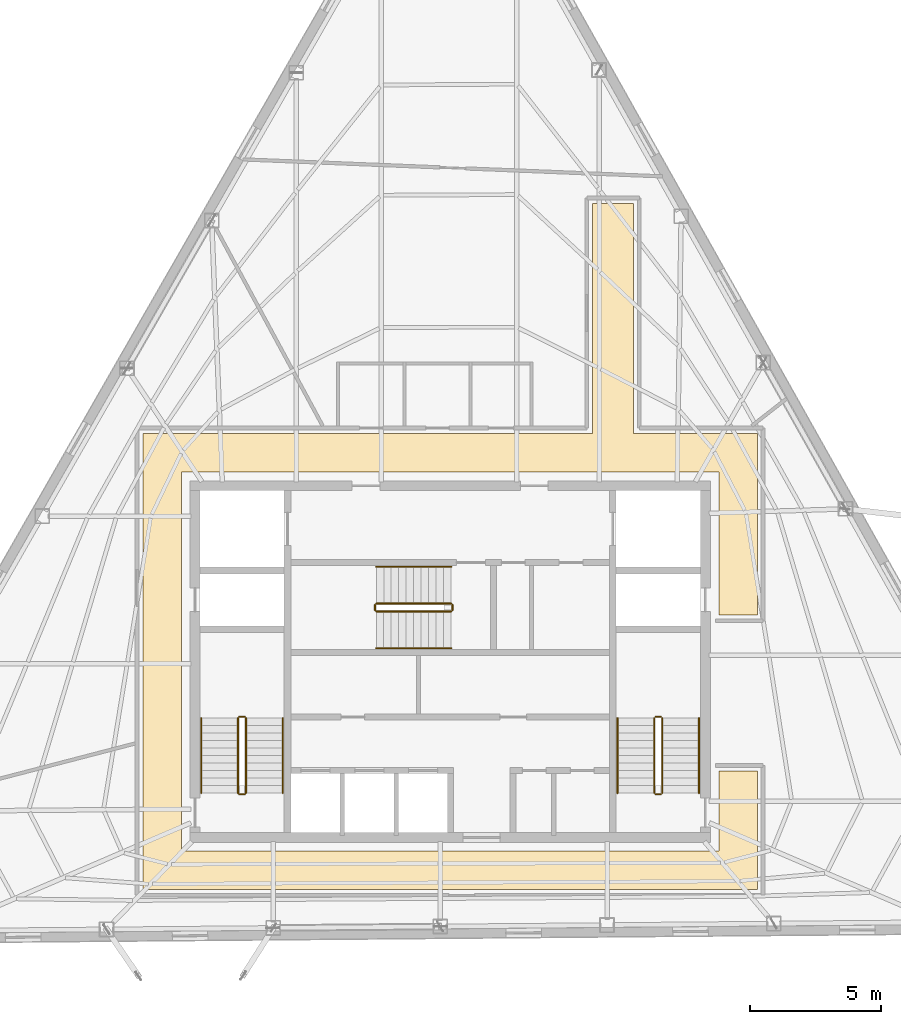
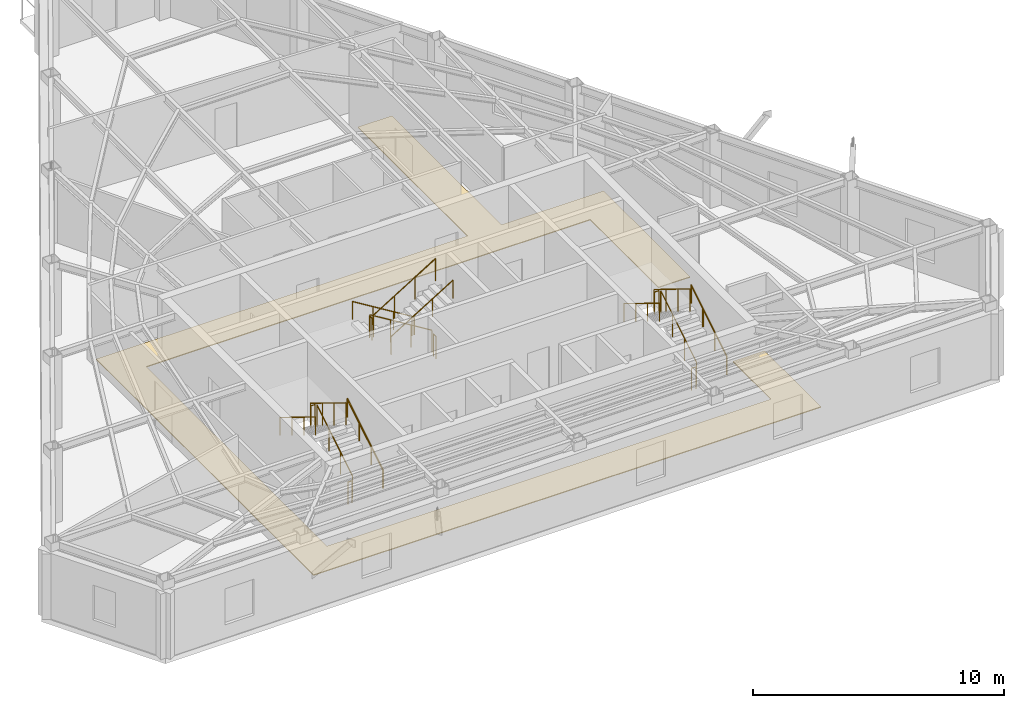
# One storey, part 10 of 11: 18 railings, 1 covering.
"""IFC4 building model written with IfcOpenShell, lengths in metres."""

from ifc_helpers import new_model, si_unit, direction, frame, origin, origin_2d, place, context, subcontext, project, spatial, polyline, circle, outline, extrude, material, layer, layer_set, type_object, element, save


model = new_model("IFC4")

# Units and contexts
model_context = context("Model", 3, precision=1e-05, world=origin(), true_north=direction((0.0, 1.0)))
body_context = subcontext(model_context, "Body", "Model", "MODEL_VIEW")
ifc_project = project(units=[si_unit("LENGTHUNIT", "METRE"), si_unit("AREAUNIT", "SQUARE_METRE"), si_unit("VOLUMEUNIT", "CUBIC_METRE"), si_unit("PLANEANGLEUNIT", "RADIAN"), si_unit("MASSUNIT", "GRAM", prefix="KILO")], contexts=[model_context])

# Site, building, storey
site_placement = place(None, origin())
site = spatial("IfcSite", under=ifc_project, at=site_placement, CompositionType="ELEMENT")
building_placement = place(site_placement, origin())
building = spatial("IfcBuilding", under=site, at=building_placement, Name="Kavelnor Concourse Tower", CompositionType="ELEMENT")
storey_placement = place(building_placement, frame((0.0, 0.0, 297.25)))
storey = spatial("IfcBuildingStorey", under=building, at=storey_placement, Name="L75", CompositionType="ELEMENT", Elevation=297.25)

# Covering
ifc_material_1 = material(Name="Honed bluestone and raised access floor finish", Category="masonry")
ifc_layer = layer(ifc_material_1, 0.0400390625, Name="Honed bluestone and raised access floor finish")
ifc_layer_set = layer_set([ifc_layer], Name="Honed bluestone and raised access floor finish")
covering_type = type_object("IfcCoveringType", Name="COV-FLOOR-STONE", PredefinedType="FLOORING", material=ifc_layer_set)
covering_placement = place(storey_placement, frame((0.0, 0.0, 0.001953125)))
element("IfcCovering", 1, at=covering_placement, inside=storey, type_object=covering_type, Name="L75 Honed Bluestone Floor Finish", PredefinedType="FLOORING", context=body_context, shape_type="SweptSolid", body=[
    extrude(outline(polyline([(44.97998046875, 24.77001953125), (49.68994140625, 24.77001953125), (49.68994140625, 17.8701171875), (48.22998046875, 17.8701171875), (48.22998046875, 23.31005859375), (27.77001953125, 23.31005859375), (27.77001953125, 8.889892578125), (48.22998046875, 8.889892578125), (48.22998046875, 11.929931640625), (49.68994140625, 11.929931640625), (49.68994140625, 7.429931640625), (26.31005859375, 7.429931640625), (26.31005859375, 24.77001953125), (43.419921875, 24.77001953125), (43.419921875, 33.52197265625), (44.97998046875, 33.52197265625), (44.97998046875, 24.77001953125)])), origin(), (0.0, 0.0, 1.0), 0.0400390625),
])

# Railings
ifc_material_2 = material(Name="Steel Grade 350", Category="steel")
railing_type_1 = type_object("IfcRailingType", Name="RLG-GUARD-1100", PredefinedType="GUARDRAIL", material=ifc_material_2)
railing_1_placement = place(storey_placement, frame((30.22998046875, 11.10009765625, 0.175048828125)))
element("IfcRailing", 2, at=railing_1_placement, inside=storey, type_object=railing_type_1, Name="L75 ST1 stair guard 1", PredefinedType="GUARDRAIL", context=body_context, shape_type="SweptSolid", body=[
    extrude(circle(Radius=0.02392578125, at=origin_2d()), frame((0.0, 0.0, 1.076171875), z_axis=(0.0, 0.852159232446, 0.523282564737), x_axis=(-1.0, 0.0, 0.0)), (0.0, 0.0, 1.0), 3.34423828125),
    extrude(circle(Radius=0.02099609375, at=origin_2d()), origin(), (0.0, 0.0, 1.0), 1.052001953125),
    extrude(circle(Radius=0.02099609375, at=origin_2d()), frame((0.0, 0.949951171875, 0.583251953125)), (0.0, 0.0, 1.0), 1.052001953125),
    extrude(circle(Radius=0.02099609375, at=origin_2d()), frame((0.0, 1.89990234375, 1.166748046875)), (0.0, 0.0, 1.0), 1.052001953125),
    extrude(circle(Radius=0.02099609375, at=origin_2d()), frame((0.0, 2.849853515625, 1.75)), (0.0, 0.0, 1.0), 1.052001953125),
])
railing_2_placement = place(storey_placement, frame((30.179931640625, 14.0, 1.925048828125)))
element("IfcRailing", 3, at=railing_2_placement, inside=storey, type_object=railing_type_1, Name="L75 ST1 stair guard 2", PredefinedType="GUARDRAIL", context=body_context, shape_type="SweptSolid", body=[
    extrude(circle(Radius=0.02392578125, at=origin_2d()), frame((0.0, 0.0, 1.076171875), z_axis=(-1.0, 0.0, 0.0), x_axis=(0.0, -1.0, 0.0)), (0.0, 0.0, 1.0), 0.199951171875),
    extrude(circle(Radius=0.02099609375, at=origin_2d()), origin(), (0.0, 0.0, 1.0), 1.052001953125),
    extrude(circle(Radius=0.02099609375, at=origin_2d()), frame((-0.199951171875, 0.0, 0.0)), (0.0, 0.0, 1.0), 1.052001953125),
])
railing_3_placement = place(storey_placement, frame((29.929931640625, 13.949951171875, 2.10009765625)))
element("IfcRailing", 4, at=railing_3_placement, inside=storey, type_object=railing_type_1, Name="L75 ST1 stair guard 3", PredefinedType="GUARDRAIL", context=body_context, shape_type="SweptSolid", body=[
    extrude(circle(Radius=0.02392578125, at=origin_2d()), frame((0.0, 0.0, 1.076171875), z_axis=(0.0, -0.852159232446, 0.523282564737), x_axis=(1.0, 0.0, 0.0)), (0.0, 0.0, 1.0), 3.34423828125),
    extrude(circle(Radius=0.02099609375, at=origin_2d()), origin(), (0.0, 0.0, 1.0), 1.052001953125),
    extrude(circle(Radius=0.02099609375, at=origin_2d()), frame((0.0, -0.949951171875, 0.583251953125)), (0.0, 0.0, 1.0), 1.052001953125),
    extrude(circle(Radius=0.02099609375, at=origin_2d()), frame((0.0, -1.89990234375, 1.166748046875)), (0.0, 0.0, 1.0), 1.052001953125),
    extrude(circle(Radius=0.02099609375, at=origin_2d()), frame((0.0, -2.849853515625, 1.75)), (0.0, 0.0, 1.0), 1.052001953125),
])
railing_4_placement = place(storey_placement, frame((30.179931640625, 11.050048828125, 0.0)))
element("IfcRailing", 5, at=railing_4_placement, inside=storey, type_object=railing_type_1, Name="L75 ST1 stair guard 4", PredefinedType="GUARDRAIL", context=body_context, shape_type="SweptSolid", body=[
    extrude(circle(Radius=0.02392578125, at=origin_2d()), frame((0.0, 0.0, 1.076171875), z_axis=(-1.0, 0.0, 0.0), x_axis=(0.0, -1.0, 0.0)), (0.0, 0.0, 1.0), 0.199951171875),
    extrude(circle(Radius=0.02099609375, at=origin_2d()), origin(), (0.0, 0.0, 1.0), 1.052001953125),
    extrude(circle(Radius=0.02099609375, at=origin_2d()), frame((-0.199951171875, 0.0, 0.0)), (0.0, 0.0, 1.0), 1.052001953125),
])
railing_5_placement = place(storey_placement, frame((46.070068359375, 11.10009765625, 0.175048828125)))
element("IfcRailing", 6, at=railing_5_placement, inside=storey, type_object=railing_type_1, Name="L75 ST2 stair guard 1", PredefinedType="GUARDRAIL", context=body_context, shape_type="SweptSolid", body=[
    extrude(circle(Radius=0.02392578125, at=origin_2d()), frame((0.0, 0.0, 1.076171875), z_axis=(0.0, 0.852159232446, 0.523282564737), x_axis=(-1.0, 0.0, 0.0)), (0.0, 0.0, 1.0), 3.34423828125),
    extrude(circle(Radius=0.02099609375, at=origin_2d()), origin(), (0.0, 0.0, 1.0), 1.052001953125),
    extrude(circle(Radius=0.02099609375, at=origin_2d()), frame((0.0, 0.949951171875, 0.583251953125)), (0.0, 0.0, 1.0), 1.052001953125),
    extrude(circle(Radius=0.02099609375, at=origin_2d()), frame((0.0, 1.89990234375, 1.166748046875)), (0.0, 0.0, 1.0), 1.052001953125),
    extrude(circle(Radius=0.02099609375, at=origin_2d()), frame((0.0, 2.849853515625, 1.75)), (0.0, 0.0, 1.0), 1.052001953125),
])
railing_6_placement = place(storey_placement, frame((46.02001953125, 14.0, 1.925048828125)))
element("IfcRailing", 7, at=railing_6_placement, inside=storey, type_object=railing_type_1, Name="L75 ST2 stair guard 2", PredefinedType="GUARDRAIL", context=body_context, shape_type="SweptSolid", body=[
    extrude(circle(Radius=0.02392578125, at=origin_2d()), frame((0.0, 0.0, 1.076171875), z_axis=(-1.0, 0.0, 0.0), x_axis=(0.0, -1.0, 0.0)), (0.0, 0.0, 1.0), 0.199951171875),
    extrude(circle(Radius=0.02099609375, at=origin_2d()), origin(), (0.0, 0.0, 1.0), 1.052001953125),
    extrude(circle(Radius=0.02099609375, at=origin_2d()), frame((-0.199951171875, 0.0, 0.0)), (0.0, 0.0, 1.0), 1.052001953125),
])
railing_7_placement = place(storey_placement, frame((45.77001953125, 13.949951171875, 2.10009765625)))
element("IfcRailing", 8, at=railing_7_placement, inside=storey, type_object=railing_type_1, Name="L75 ST2 stair guard 3", PredefinedType="GUARDRAIL", context=body_context, shape_type="SweptSolid", body=[
    extrude(circle(Radius=0.02392578125, at=origin_2d()), frame((0.0, 0.0, 1.076171875), z_axis=(0.0, -0.852159232446, 0.523282564737), x_axis=(1.0, 0.0, 0.0)), (0.0, 0.0, 1.0), 3.34423828125),
    extrude(circle(Radius=0.02099609375, at=origin_2d()), origin(), (0.0, 0.0, 1.0), 1.052001953125),
    extrude(circle(Radius=0.02099609375, at=origin_2d()), frame((0.0, -0.949951171875, 0.583251953125)), (0.0, 0.0, 1.0), 1.052001953125),
    extrude(circle(Radius=0.02099609375, at=origin_2d()), frame((0.0, -1.89990234375, 1.166748046875)), (0.0, 0.0, 1.0), 1.052001953125),
    extrude(circle(Radius=0.02099609375, at=origin_2d()), frame((0.0, -2.849853515625, 1.75)), (0.0, 0.0, 1.0), 1.052001953125),
])
railing_8_placement = place(storey_placement, frame((46.02001953125, 11.050048828125, 0.0)))
element("IfcRailing", 9, at=railing_8_placement, inside=storey, type_object=railing_type_1, Name="L75 ST2 stair guard 4", PredefinedType="GUARDRAIL", context=body_context, shape_type="SweptSolid", body=[
    extrude(circle(Radius=0.02392578125, at=origin_2d()), frame((0.0, 0.0, 1.076171875), z_axis=(-1.0, 0.0, 0.0), x_axis=(0.0, -1.0, 0.0)), (0.0, 0.0, 1.0), 0.199951171875),
    extrude(circle(Radius=0.02099609375, at=origin_2d()), origin(), (0.0, 0.0, 1.0), 1.052001953125),
    extrude(circle(Radius=0.02099609375, at=origin_2d()), frame((-0.199951171875, 0.0, 0.0)), (0.0, 0.0, 1.0), 1.052001953125),
])
railing_9_placement = place(storey_placement, frame((38.0400390625, 18.31005859375, 0.175048828125)))
element("IfcRailing", 10, at=railing_9_placement, inside=storey, type_object=railing_type_1, Name="L75 ST3 stair guard 1", PredefinedType="GUARDRAIL", context=body_context, shape_type="SweptSolid", body=[
    extrude(circle(Radius=0.02392578125, at=origin_2d()), frame((0.0, 0.0, 1.076171875), z_axis=(-0.852179220489, 0.0, 0.52325001306), x_axis=(0.0, -1.0, 0.0)), (0.0, 0.0, 1.0), 3.344482421875),
    extrude(circle(Radius=0.02099609375, at=origin_2d()), origin(), (0.0, 0.0, 1.0), 1.052001953125),
    extrude(circle(Radius=0.02099609375, at=origin_2d()), frame((-0.949951171875, 0.0, 0.583251953125)), (0.0, 0.0, 1.0), 1.052001953125),
    extrude(circle(Radius=0.02099609375, at=origin_2d()), frame((-1.900146484375, 0.0, 1.166748046875)), (0.0, 0.0, 1.0), 1.052001953125),
    extrude(circle(Radius=0.02099609375, at=origin_2d()), frame((-2.85009765625, 0.0, 1.75)), (0.0, 0.0, 1.0), 1.052001953125),
])
railing_10_placement = place(storey_placement, frame((35.139892578125, 18.260009765625, 1.925048828125)))
element("IfcRailing", 11, at=railing_10_placement, inside=storey, type_object=railing_type_1, Name="L75 ST3 stair guard 2", PredefinedType="GUARDRAIL", context=body_context, shape_type="SweptSolid", body=[
    extrude(circle(Radius=0.02392578125, at=origin_2d()), frame((0.0, 0.0, 1.076171875), z_axis=(0.0, -1.0, 0.0), x_axis=(1.0, 0.0, 0.0)), (0.0, 0.0, 1.0), 0.199951171875),
    extrude(circle(Radius=0.02099609375, at=origin_2d()), origin(), (0.0, 0.0, 1.0), 1.052001953125),
    extrude(circle(Radius=0.02099609375, at=origin_2d()), frame((0.0, -0.199951171875, 0.0)), (0.0, 0.0, 1.0), 1.052001953125),
])
railing_11_placement = place(storey_placement, frame((35.18994140625, 18.010009765625, 2.10009765625)))
element("IfcRailing", 12, at=railing_11_placement, inside=storey, type_object=railing_type_1, Name="L75 ST3 stair guard 3", PredefinedType="GUARDRAIL", context=body_context, shape_type="SweptSolid", body=[
    extrude(circle(Radius=0.02392578125, at=origin_2d()), frame((0.0, 0.0, 1.076171875), z_axis=(0.852179220489, 0.0, 0.52325001306), x_axis=(0.0, 1.0, 0.0)), (0.0, 0.0, 1.0), 3.344482421875),
    extrude(circle(Radius=0.02099609375, at=origin_2d()), origin(), (0.0, 0.0, 1.0), 1.052001953125),
    extrude(circle(Radius=0.02099609375, at=origin_2d()), frame((0.949951171875, 0.0, 0.583251953125)), (0.0, 0.0, 1.0), 1.052001953125),
    extrude(circle(Radius=0.02099609375, at=origin_2d()), frame((1.900146484375, 0.0, 1.166748046875)), (0.0, 0.0, 1.0), 1.052001953125),
    extrude(circle(Radius=0.02099609375, at=origin_2d()), frame((2.85009765625, 0.0, 1.75)), (0.0, 0.0, 1.0), 1.052001953125),
])
railing_12_placement = place(storey_placement, frame((38.090087890625, 18.260009765625, 0.0)))
element("IfcRailing", 13, at=railing_12_placement, inside=storey, type_object=railing_type_1, Name="L75 ST3 stair guard 4", PredefinedType="GUARDRAIL", context=body_context, shape_type="SweptSolid", body=[
    extrude(circle(Radius=0.02392578125, at=origin_2d()), frame((0.0, 0.0, 1.076171875), z_axis=(0.0, -1.0, 0.0), x_axis=(1.0, 0.0, 0.0)), (0.0, 0.0, 1.0), 0.199951171875),
    extrude(circle(Radius=0.02099609375, at=origin_2d()), origin(), (0.0, 0.0, 1.0), 1.052001953125),
    extrude(circle(Radius=0.02099609375, at=origin_2d()), frame((0.0, -0.199951171875, 0.0)), (0.0, 0.0, 1.0), 1.052001953125),
])
railing_type_2 = type_object("IfcRailingType", Name="RLG-HANDRAIL-900", PredefinedType="HANDRAIL", material=ifc_material_2)
railing_13_placement = place(storey_placement, frame((31.6298828125, 11.10009765625, 0.175048828125)))
element("IfcRailing", 14, at=railing_13_placement, inside=storey, type_object=railing_type_2, Name="L75 ST1 stair handrail 1", PredefinedType="HANDRAIL", context=body_context, shape_type="SweptSolid", body=[
    extrude(circle(Radius=0.02392578125, at=origin_2d()), frame((0.0, 0.0, 0.8759765625), z_axis=(0.0, 0.852159232446, 0.523282564737), x_axis=(-1.0, 0.0, 0.0)), (0.0, 0.0, 1.0), 3.34423828125),
    extrude(circle(Radius=0.02099609375, at=origin_2d()), origin(), (0.0, 0.0, 1.0), 0.851806640625),
    extrude(circle(Radius=0.02099609375, at=origin_2d()), frame((0.0, 0.949951171875, 0.583251953125)), (0.0, 0.0, 1.0), 0.851806640625),
    extrude(circle(Radius=0.02099609375, at=origin_2d()), frame((0.0, 1.89990234375, 1.166748046875)), (0.0, 0.0, 1.0), 0.851806640625),
    extrude(circle(Radius=0.02099609375, at=origin_2d()), frame((0.0, 2.849853515625, 1.75)), (0.0, 0.0, 1.0), 0.851806640625),
])
railing_14_placement = place(storey_placement, frame((28.530029296875, 13.949951171875, 2.10009765625)))
element("IfcRailing", 15, at=railing_14_placement, inside=storey, type_object=railing_type_2, Name="L75 ST1 stair handrail 2", PredefinedType="HANDRAIL", context=body_context, shape_type="SweptSolid", body=[
    extrude(circle(Radius=0.02392578125, at=origin_2d()), frame((0.0, 0.0, 0.8759765625), z_axis=(0.0, -0.852159232446, 0.523282564737), x_axis=(1.0, 0.0, 0.0)), (0.0, 0.0, 1.0), 3.34423828125),
    extrude(circle(Radius=0.02099609375, at=origin_2d()), origin(), (0.0, 0.0, 1.0), 0.851806640625),
    extrude(circle(Radius=0.02099609375, at=origin_2d()), frame((0.0, -0.949951171875, 0.583251953125)), (0.0, 0.0, 1.0), 0.851806640625),
    extrude(circle(Radius=0.02099609375, at=origin_2d()), frame((0.0, -1.89990234375, 1.166748046875)), (0.0, 0.0, 1.0), 0.851806640625),
    extrude(circle(Radius=0.02099609375, at=origin_2d()), frame((0.0, -2.849853515625, 1.75)), (0.0, 0.0, 1.0), 0.851806640625),
])
railing_15_placement = place(storey_placement, frame((47.469970703125, 11.10009765625, 0.175048828125)))
element("IfcRailing", 16, at=railing_15_placement, inside=storey, type_object=railing_type_2, Name="L75 ST2 stair handrail 1", PredefinedType="HANDRAIL", context=body_context, shape_type="SweptSolid", body=[
    extrude(circle(Radius=0.02392578125, at=origin_2d()), frame((0.0, 0.0, 0.8759765625), z_axis=(0.0, 0.852159232446, 0.523282564737), x_axis=(-1.0, 0.0, 0.0)), (0.0, 0.0, 1.0), 3.34423828125),
    extrude(circle(Radius=0.02099609375, at=origin_2d()), origin(), (0.0, 0.0, 1.0), 0.851806640625),
    extrude(circle(Radius=0.02099609375, at=origin_2d()), frame((0.0, 0.949951171875, 0.583251953125)), (0.0, 0.0, 1.0), 0.851806640625),
    extrude(circle(Radius=0.02099609375, at=origin_2d()), frame((0.0, 1.89990234375, 1.166748046875)), (0.0, 0.0, 1.0), 0.851806640625),
    extrude(circle(Radius=0.02099609375, at=origin_2d()), frame((0.0, 2.849853515625, 1.75)), (0.0, 0.0, 1.0), 0.851806640625),
])
railing_16_placement = place(storey_placement, frame((44.3701171875, 13.949951171875, 2.10009765625)))
element("IfcRailing", 17, at=railing_16_placement, inside=storey, type_object=railing_type_2, Name="L75 ST2 stair handrail 2", PredefinedType="HANDRAIL", context=body_context, shape_type="SweptSolid", body=[
    extrude(circle(Radius=0.02392578125, at=origin_2d()), frame((0.0, 0.0, 0.8759765625), z_axis=(0.0, -0.852159232446, 0.523282564737), x_axis=(1.0, 0.0, 0.0)), (0.0, 0.0, 1.0), 3.34423828125),
    extrude(circle(Radius=0.02099609375, at=origin_2d()), origin(), (0.0, 0.0, 1.0), 0.851806640625),
    extrude(circle(Radius=0.02099609375, at=origin_2d()), frame((0.0, -0.949951171875, 0.583251953125)), (0.0, 0.0, 1.0), 0.851806640625),
    extrude(circle(Radius=0.02099609375, at=origin_2d()), frame((0.0, -1.89990234375, 1.166748046875)), (0.0, 0.0, 1.0), 0.851806640625),
    extrude(circle(Radius=0.02099609375, at=origin_2d()), frame((0.0, -2.849853515625, 1.75)), (0.0, 0.0, 1.0), 0.851806640625),
])
railing_17_placement = place(storey_placement, frame((38.0400390625, 19.7099609375, 0.175048828125)))
element("IfcRailing", 18, at=railing_17_placement, inside=storey, type_object=railing_type_2, Name="L75 ST3 stair handrail 1", PredefinedType="HANDRAIL", context=body_context, shape_type="SweptSolid", body=[
    extrude(circle(Radius=0.02392578125, at=origin_2d()), frame((0.0, 0.0, 0.8759765625), z_axis=(-0.852179220489, 0.0, 0.52325001306), x_axis=(0.0, -1.0, 0.0)), (0.0, 0.0, 1.0), 3.344482421875),
    extrude(circle(Radius=0.02099609375, at=origin_2d()), origin(), (0.0, 0.0, 1.0), 0.851806640625),
    extrude(circle(Radius=0.02099609375, at=origin_2d()), frame((-0.949951171875, 0.0, 0.583251953125)), (0.0, 0.0, 1.0), 0.851806640625),
    extrude(circle(Radius=0.02099609375, at=origin_2d()), frame((-1.900146484375, 0.0, 1.166748046875)), (0.0, 0.0, 1.0), 0.851806640625),
    extrude(circle(Radius=0.02099609375, at=origin_2d()), frame((-2.85009765625, 0.0, 1.75)), (0.0, 0.0, 1.0), 0.851806640625),
])
railing_18_placement = place(storey_placement, frame((35.18994140625, 16.610107421875, 2.10009765625)))
element("IfcRailing", 19, at=railing_18_placement, inside=storey, type_object=railing_type_2, Name="L75 ST3 stair handrail 2", PredefinedType="HANDRAIL", context=body_context, shape_type="SweptSolid", body=[
    extrude(circle(Radius=0.02392578125, at=origin_2d()), frame((0.0, 0.0, 0.8759765625), z_axis=(0.852179220489, 0.0, 0.52325001306), x_axis=(0.0, 1.0, 0.0)), (0.0, 0.0, 1.0), 3.344482421875),
    extrude(circle(Radius=0.02099609375, at=origin_2d()), origin(), (0.0, 0.0, 1.0), 0.851806640625),
    extrude(circle(Radius=0.02099609375, at=origin_2d()), frame((0.949951171875, 0.0, 0.583251953125)), (0.0, 0.0, 1.0), 0.851806640625),
    extrude(circle(Radius=0.02099609375, at=origin_2d()), frame((1.900146484375, 0.0, 1.166748046875)), (0.0, 0.0, 1.0), 0.851806640625),
    extrude(circle(Radius=0.02099609375, at=origin_2d()), frame((2.85009765625, 0.0, 1.75)), (0.0, 0.0, 1.0), 0.851806640625),
])

save(model, "model.ifc")
